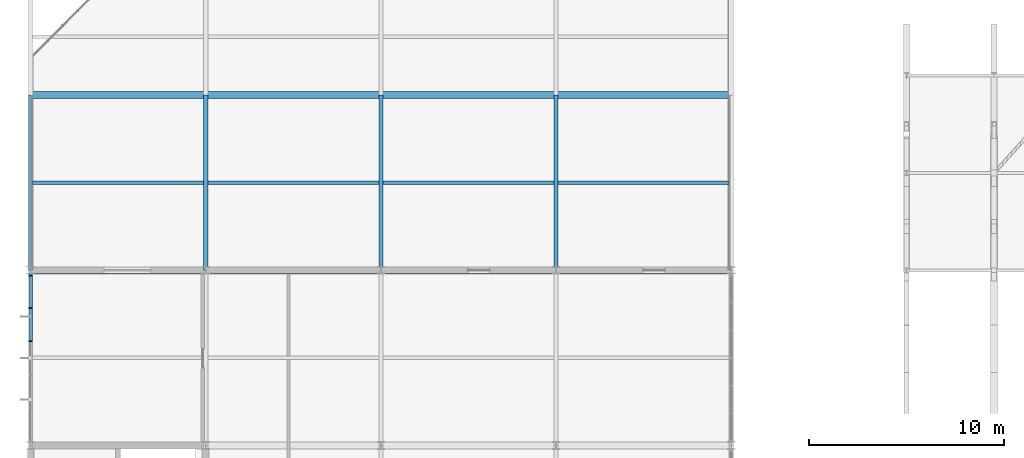
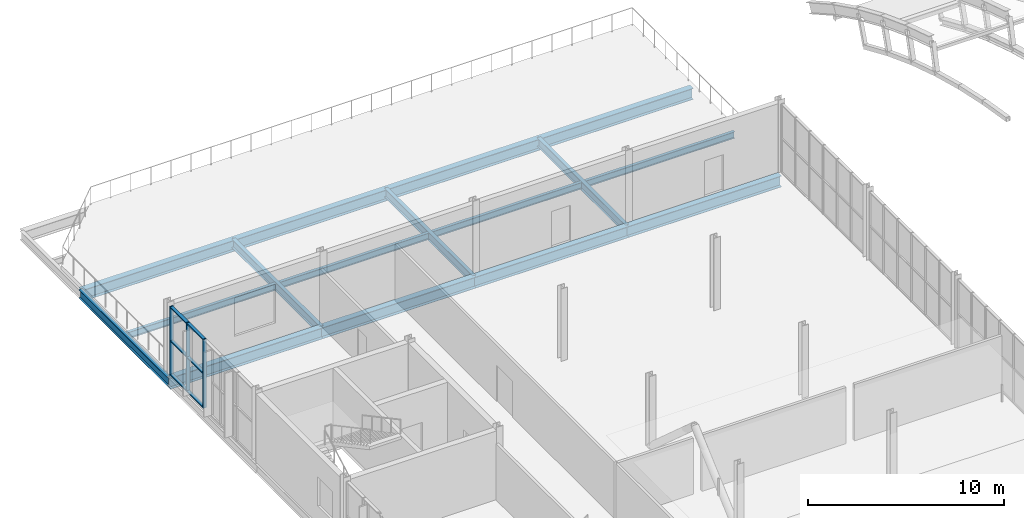
# One storey, part 35 of 103: 16 beams, 9 members, 1 element without a shape of its own.
"""IFC4 building model written with IfcOpenShell, lengths in metres."""

from ifc_helpers import new_model, si_unit, direction, frame, origin, origin_2d, place, context, subcontext, project, spatial, rectangle, i_section, extrude, material, layer, layer_set, material_profile, profile_set, type_object, element, aggregate, save


model = new_model("IFC4")

# Units and contexts
model_context = context("Model", 3, precision=1e-05, world=origin(), true_north=direction((0.0, 1.0)))
body_context = subcontext(model_context, "Body", "Model", "MODEL_VIEW")
ifc_project = project(units=[si_unit("LENGTHUNIT", "METRE"), si_unit("AREAUNIT", "SQUARE_METRE"), si_unit("VOLUMEUNIT", "CUBIC_METRE"), si_unit("PLANEANGLEUNIT", "RADIAN"), si_unit("MASSUNIT", "GRAM", prefix="KILO")], contexts=[model_context])

# Site, building, storey
site_placement = place(None, origin())
site = spatial("IfcSite", under=ifc_project, at=site_placement, CompositionType="ELEMENT")
building_placement = place(site_placement, origin())
building = spatial("IfcBuilding", under=site, at=building_placement, Name="Cazmaro Siding Exhibition Halls", CompositionType="ELEMENT")
storey_placement = place(building_placement, frame((0.0, 0.0, 16.5)))
storey = spatial("IfcBuildingStorey", under=building, at=storey_placement, Name="L03", CompositionType="ELEMENT", Elevation=16.5)

# Beams
ifc_material_1 = material(Name="Steel ASTM A992 Grade 50", Category="steel")
ifc_material_profile_1 = material_profile(ifc_material_1, i_section(OverallWidth=0.214111328125, OverallDepth=0.549072265625, WebThickness=0.014892578125, FlangeThickness=0.02392578125, at=origin_2d()), Name="W21X93")
ifc_profile_set_1 = profile_set([ifc_material_profile_1], Name="Steel ASTM A992 Grade 50")
beam_type_1 = type_object("IfcBeamType", Name="B-01", PredefinedType="BEAM", material=ifc_profile_set_1)
for number, where, z_axis, x_axis, name in (
    (1, (0.0, 109.0, -0.5439453125), (0.0, 1.0, 0.0), (-1.0, 0.0, 0.0), "Beam B-01 BM-2244"),
    (2, (9.0, 109.0, -0.5439453125), (0.0, 1.0, 0.0), (-1.0, 0.0, 0.0), "Beam B-01 BM-2252"),
    (3, (18.0, 109.0, -0.5439453125), (0.0, 1.0, 0.0), (-1.0, 0.0, 0.0), "Beam B-01 BM-2260"),
    (4, (27.0, 109.0, -0.5439453125), (0.0, 1.0, 0.0), (-1.0, 0.0, 0.0), "Beam B-01 BM-2268"),
):
    element("IfcBeam", number, at=place(storey_placement, frame(where, z_axis=z_axis, x_axis=x_axis)), inside=storey, type_object=beam_type_1, Name=name, PredefinedType="BEAM", context=body_context, shape_type="SweptSolid", body=[
        extrude(i_section(OverallWidth=0.214111328125, OverallDepth=0.549072265625, WebThickness=0.014892578125, FlangeThickness=0.02392578125, at=origin_2d()), origin(), (0.0, 0.0, 1.0), 9.0),
    ])

# Curtain wall, members
ifc_material_2 = material(Name="Anodized Bronze Aluminum and Solar-Control Low-E Glazing", Category="aluminium")
ifc_layer = layer(ifc_material_2, 0.199951171875)
ifc_layer_set = layer_set([ifc_layer], Name="Anodized Bronze Aluminum and Solar-Control Low-E Glazing")
curtain_wall_type = type_object("IfcCurtainWallType", Name="CWS-02", PredefinedType="USERDEFINED", material=ifc_layer_set)
curtain_wall_placement = place(storey_placement, origin())
curtain_wall = element("IfcCurtainWall", 5, at=curtain_wall_placement, inside=storey, type_object=curtain_wall_type, Name="Glazed Curtain Wall CWS-02 CW-254", ObjectType="GLAZED CURTAIN WALL", PredefinedType="USERDEFINED")
ifc_material_3 = material(Name="Anodized Bronze Extruded Aluminum", Category="aluminium")
ifc_material_profile_2 = material_profile(ifc_material_3, rectangle(XDim=0.199951171875, YDim=0.06494140625, at=origin_2d()), Name="CWM-02")
ifc_profile_set_2 = profile_set([ifc_material_profile_2], Name="Anodized Bronze Extruded Aluminum")
member_type_1 = type_object("IfcMemberType", Name="CWM-02", PredefinedType="MULLION", material=ifc_profile_set_2)
member_1_placement = place(storey_placement, frame((0.0, 108.734619140625, 0.0), z_axis=(0.0, 0.0, 1.0), x_axis=(1.0, 0.0, 0.0)))
member_1 = element("IfcMember", 6, at=member_1_placement, type_object=member_type_1, Name="CWS-02 mullion 1", PredefinedType="MULLION", context=body_context, shape_type="SweptSolid", body=[
    extrude(rectangle(XDim=0.199951171875, YDim=0.06494140625, at=origin_2d()), origin(), (0.0, 0.0, 1.0), 4.280029296875),
])
member_2_placement = place(storey_placement, frame((0.0, 107.060302734375, 0.0), z_axis=(0.0, 0.0, 1.0), x_axis=(1.0, 0.0, 0.0)))
member_2 = element("IfcMember", 7, at=member_2_placement, type_object=member_type_1, Name="CWS-02 mullion 2", PredefinedType="MULLION", context=body_context, shape_type="SweptSolid", body=[
    extrude(rectangle(XDim=0.199951171875, YDim=0.06494140625, at=origin_2d()), origin(), (0.0, 0.0, 1.0), 4.280029296875),
])
member_3_placement = place(storey_placement, frame((0.0, 105.353515625, 0.0), z_axis=(0.0, 0.0, 1.0), x_axis=(1.0, 0.0, 0.0)))
member_3 = element("IfcMember", 8, at=member_3_placement, type_object=member_type_1, Name="CWS-02 mullion 3", PredefinedType="MULLION", context=body_context, shape_type="SweptSolid", body=[
    extrude(rectangle(XDim=0.199951171875, YDim=0.06494140625, at=origin_2d()), origin(), (0.0, 0.0, 1.0), 4.280029296875),
])
ifc_material_4 = material(Name="Anodized Bronze Extruded Aluminum", Category="aluminium")
ifc_material_profile_3 = material_profile(ifc_material_4, rectangle(XDim=0.179931640625, YDim=0.06494140625, at=origin_2d()), Name="CWT-02")
ifc_profile_set_3 = profile_set([ifc_material_profile_3], Name="Anodized Bronze Extruded Aluminum")
member_type_2 = type_object("IfcMemberType", Name="CWT-02", PredefinedType="MULLION", material=ifc_profile_set_3)
member_4_placement = place(storey_placement, frame((0.0, 108.701904296875, 0.032470703125), z_axis=(0.0, -1.0, 0.0), x_axis=(1.0, 0.0, 0.0)))
member_4 = element("IfcMember", 9, at=member_4_placement, type_object=member_type_2, Name="CWS-02 transom 1.1", ObjectType="TRANSOM", PredefinedType="USERDEFINED", context=body_context, shape_type="SweptSolid", body=[
    extrude(rectangle(XDim=0.179931640625, YDim=0.06494140625, at=origin_2d()), origin(), (0.0, 0.0, 1.0), 1.609130859375),
])
member_5_placement = place(storey_placement, frame((0.0, 108.701904296875, 2.139892578125), z_axis=(0.0, -1.0, 0.0), x_axis=(1.0, 0.0, 0.0)))
member_5 = element("IfcMember", 10, at=member_5_placement, type_object=member_type_2, Name="CWS-02 transom 1.2", ObjectType="TRANSOM", PredefinedType="USERDEFINED", context=body_context, shape_type="SweptSolid", body=[
    extrude(rectangle(XDim=0.179931640625, YDim=0.06494140625, at=origin_2d()), origin(), (0.0, 0.0, 1.0), 1.609130859375),
])
member_6_placement = place(storey_placement, frame((0.0, 108.701904296875, 4.24755859375), z_axis=(0.0, -1.0, 0.0), x_axis=(1.0, 0.0, 0.0)))
member_6 = element("IfcMember", 11, at=member_6_placement, type_object=member_type_2, Name="CWS-02 transom 1.3", ObjectType="TRANSOM", PredefinedType="USERDEFINED", context=body_context, shape_type="SweptSolid", body=[
    extrude(rectangle(XDim=0.179931640625, YDim=0.06494140625, at=origin_2d()), origin(), (0.0, 0.0, 1.0), 1.609130859375),
])
member_7_placement = place(storey_placement, frame((0.0, 107.027587890625, 0.032470703125), z_axis=(0.0, -1.0, 0.0), x_axis=(1.0, 0.0, 0.0)))
member_7 = element("IfcMember", 12, at=member_7_placement, type_object=member_type_2, Name="CWS-02 transom 2.1", ObjectType="TRANSOM", PredefinedType="USERDEFINED", context=body_context, shape_type="SweptSolid", body=[
    extrude(rectangle(XDim=0.179931640625, YDim=0.06494140625, at=origin_2d()), origin(), (0.0, 0.0, 1.0), 1.6416015625),
])
member_8_placement = place(storey_placement, frame((0.0, 107.027587890625, 2.139892578125), z_axis=(0.0, -1.0, 0.0), x_axis=(1.0, 0.0, 0.0)))
member_8 = element("IfcMember", 13, at=member_8_placement, type_object=member_type_2, Name="CWS-02 transom 2.2", ObjectType="TRANSOM", PredefinedType="USERDEFINED", context=body_context, shape_type="SweptSolid", body=[
    extrude(rectangle(XDim=0.179931640625, YDim=0.06494140625, at=origin_2d()), origin(), (0.0, 0.0, 1.0), 1.6416015625),
])
member_9_placement = place(storey_placement, frame((0.0, 107.027587890625, 4.24755859375), z_axis=(0.0, -1.0, 0.0), x_axis=(1.0, 0.0, 0.0)))
member_9 = element("IfcMember", 14, at=member_9_placement, type_object=member_type_2, Name="CWS-02 transom 2.3", ObjectType="TRANSOM", PredefinedType="USERDEFINED", context=body_context, shape_type="SweptSolid", body=[
    extrude(rectangle(XDim=0.179931640625, YDim=0.06494140625, at=origin_2d()), origin(), (0.0, 0.0, 1.0), 1.6416015625),
])
aggregate(curtain_wall, [member_1, member_2, member_3, member_4, member_5, member_6, member_7, member_8, member_9])

# Beams
ifc_material_5 = material(Name="Steel ASTM A992 Grade 50", Category="steel")
ifc_material_profile_4 = material_profile(ifc_material_5, i_section(OverallWidth=0.35595703125, OverallDepth=0.696044921875, WebThickness=0.014892578125, FlangeThickness=0.02490234375, at=origin_2d()), Name="W27X146")
ifc_profile_set_4 = profile_set([ifc_material_profile_4], Name="Steel ASTM A992 Grade 50")
beam_type_2 = type_object("IfcBeamType", Name="G-05", PredefinedType="USERDEFINED", material=ifc_profile_set_4)
for number, where, z_axis, x_axis, name in (
    (15, (0.0, 109.0, -0.617919921875), (1.0, 0.0, 0.0), (0.0, 1.0, 0.0), "Beam G-05 BM-2178"),
    (16, (0.0, 118.0, -0.617919921875), (1.0, 0.0, 0.0), (0.0, 1.0, 0.0), "Beam G-05 BM-2179"),
    (17, (9.0, 109.0, -0.617919921875), (1.0, 0.0, 0.0), (0.0, 1.0, 0.0), "Beam G-05 BM-2193"),
    (18, (9.0, 118.0, -0.617919921875), (1.0, 0.0, 0.0), (0.0, 1.0, 0.0), "Beam G-05 BM-2194"),
    (19, (18.0, 109.0, -0.617919921875), (1.0, 0.0, 0.0), (0.0, 1.0, 0.0), "Beam G-05 BM-2210"),
    (20, (18.0, 118.0, -0.617919921875), (1.0, 0.0, 0.0), (0.0, 1.0, 0.0), "Beam G-05 BM-2211"),
    (21, (27.0, 109.0, -0.617919921875), (1.0, 0.0, 0.0), (0.0, 1.0, 0.0), "Beam G-05 BM-2227"),
    (22, (27.0, 118.0, -0.617919921875), (1.0, 0.0, 0.0), (0.0, 1.0, 0.0), "Beam G-05 BM-2228"),
):
    element("IfcBeam", number, at=place(storey_placement, frame(where, z_axis=z_axis, x_axis=x_axis)), inside=storey, type_object=beam_type_2, Name=name, ObjectType="GIRDER", PredefinedType="USERDEFINED", context=body_context, shape_type="SweptSolid", body=[
        extrude(i_section(OverallWidth=0.35595703125, OverallDepth=0.696044921875, WebThickness=0.014892578125, FlangeThickness=0.02490234375, at=origin_2d()), origin(), (0.0, 0.0, 1.0), 9.0),
    ])
ifc_material_6 = material(Name="Steel ASTM A992 Grade 50", Category="steel")
ifc_material_profile_5 = material_profile(ifc_material_6, i_section(OverallWidth=0.177978515625, OverallDepth=0.406005859375, WebThickness=0.008056640625, FlangeThickness=0.012939453125, at=origin_2d()), Name="W16X40")
ifc_profile_set_5 = profile_set([ifc_material_profile_5], Name="Steel ASTM A992 Grade 50")
beam_type_3 = type_object("IfcBeamType", Name="J-02", PredefinedType="JOIST", material=ifc_profile_set_5)
for number, where, z_axis, x_axis, name in (
    (23, (0.10693359375, 113.5, -0.472900390625), (1.0, 0.0, 0.0), (0.0, 1.0, 0.0), "Beam J-02 BM-2185"),
    (24, (9.10693359375, 113.5, -0.472900390625), (1.0, 0.0, 0.0), (0.0, 1.0, 0.0), "Beam J-02 BM-2202"),
    (25, (18.10693359375, 113.5, -0.472900390625), (1.0, 0.0, 0.0), (0.0, 1.0, 0.0), "Beam J-02 BM-2219"),
    (26, (27.10693359375, 113.5, -0.472900390625), (1.0, 0.0, 0.0), (0.0, 1.0, 0.0), "Beam J-02 BM-2236"),
):
    element("IfcBeam", number, at=place(storey_placement, frame(where, z_axis=z_axis, x_axis=x_axis)), inside=storey, type_object=beam_type_3, Name=name, PredefinedType="JOIST", context=body_context, shape_type="SweptSolid", body=[
        extrude(i_section(OverallWidth=0.177978515625, OverallDepth=0.406005859375, WebThickness=0.008056640625, FlangeThickness=0.012939453125, at=origin_2d()), origin(), (0.0, 0.0, 1.0), 8.7861328125),
    ])

save(model, "model.ifc")
